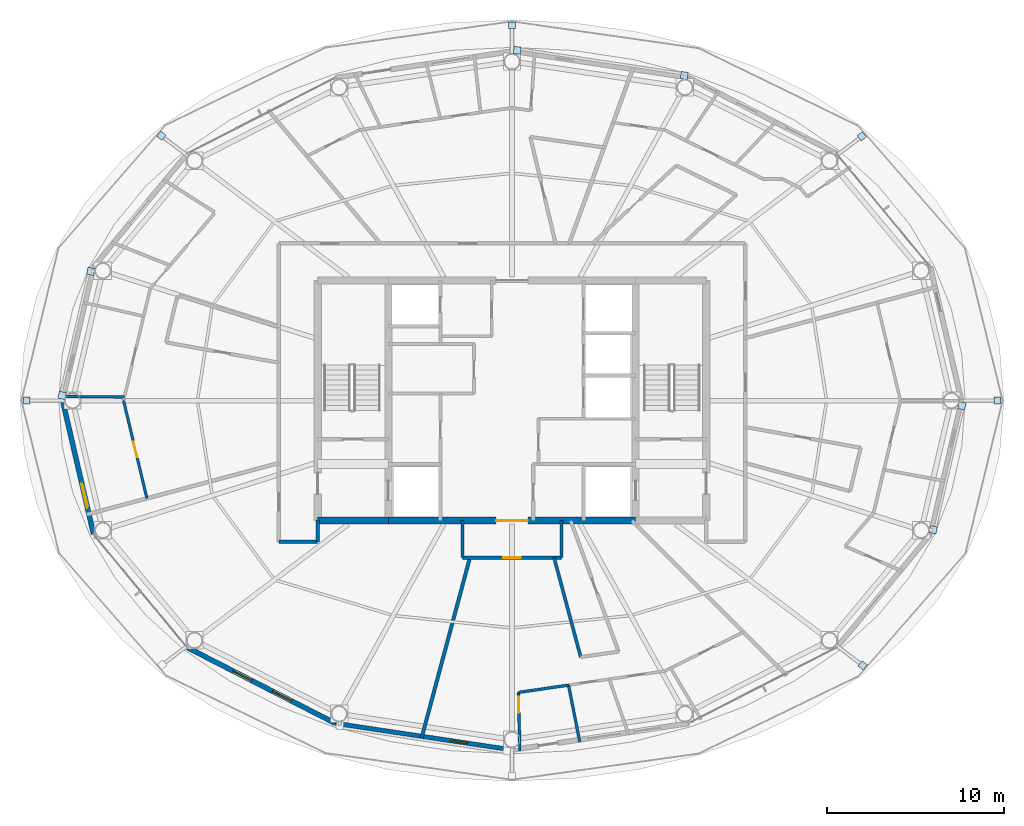
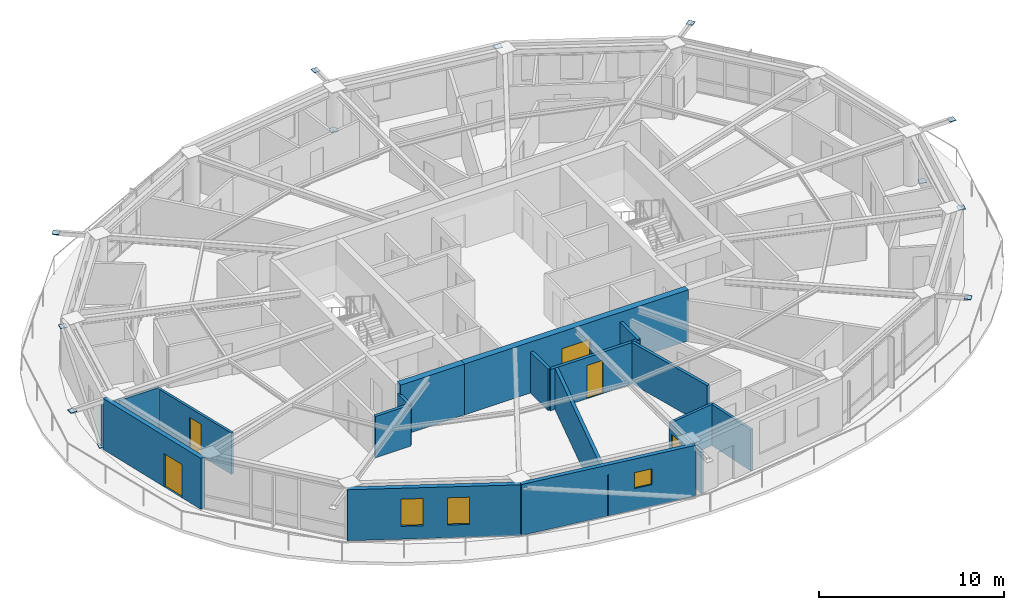
# One storey, part 15 of 23: 17 walls, 12 plates, 5 doors, 3 windows, 8 openings.
"""IFC4 building model written with IfcOpenShell, lengths in metres."""

from ifc_helpers import new_model, si_unit, direction, frame, frame_2d, origin, origin_2d, place, context, subcontext, project, spatial, rectangle, extrude, material, layer, layer_set, type_object, element, fill, save


model = new_model("IFC4")

# Units and contexts
model_context = context("Model", 3, precision=1e-05, world=origin(), true_north=direction((0.0, 1.0)))
body_context = subcontext(model_context, "Body", "Model", "MODEL_VIEW")
ifc_project = project(units=[si_unit("LENGTHUNIT", "METRE"), si_unit("AREAUNIT", "SQUARE_METRE"), si_unit("VOLUMEUNIT", "CUBIC_METRE"), si_unit("PLANEANGLEUNIT", "RADIAN"), si_unit("MASSUNIT", "GRAM", prefix="KILO")], contexts=[model_context])

# Site, building, storey
site_placement = place(None, origin())
site = spatial("IfcSite", under=ifc_project, at=site_placement, CompositionType="ELEMENT")
building_placement = place(site_placement, origin())
building = spatial("IfcBuilding", under=site, at=building_placement, Name="Sarneth Arch Tower", CompositionType="ELEMENT")
storey_placement = place(building_placement, frame((0.0, 0.0, 262.199951171875)))
storey = spatial("IfcBuildingStorey", under=building, at=storey_placement, Name="L67", CompositionType="ELEMENT", Elevation=262.199951171875)

# Plates
ifc_material_1 = material(Name="Steel S355", Category="steel")
ifc_layer_1 = layer(ifc_material_1, 0.035888671875)
ifc_layer_set_1 = layer_set([ifc_layer_1], Name="Steel S355")
plate_type = type_object("IfcPlateType", Name="PLT-GUSSET-30", PredefinedType="SHEET", material=ifc_layer_set_1)
for number, where, z_axis, x_axis, name in (
    (1, (75.481689453125, 42.0, 3.19189453125), (0.0, 0.0, 1.0), (1.0, 0.0, 0.0), "Steel end cap plate GP-1"),
    (2, (67.8076171875, 56.96044921875, 3.19189453125), (0.0, 0.0, 1.0), (0.798004853043, 0.602651022168, 0.0), "Steel end cap plate GP-1"),
):
    element("IfcPlate", number, at=place(storey_placement, frame(where, z_axis=z_axis, x_axis=x_axis)), inside=storey, type_object=plate_type, Name=name, PredefinedType="SHEET", context=body_context, shape_type="SweptSolid", body=[
        extrude(rectangle(XDim=0.3798828125, YDim=0.3798828125, at=origin_2d()), origin(), (0.0, 0.0, 1.0), 0.035888671875),
    ])
for number, where, z_axis, x_axis, name in (
    (3, (48.296630859375, 61.83544921875, 0.001953125), (0.0, 0.0, 1.0), (-0.988860535448, 0.148845024885, 0.0), "Steel end cap plate GP-1"),
    (4, (57.754150390625, 60.411376953125, 3.07421875), (0.0, 0.0, 1.0), (-0.988860535448, 0.148845024885, 0.0), "Steel end cap plate GP-1"),
):
    element("IfcPlate", number, at=place(storey_placement, frame(where, z_axis=z_axis, x_axis=x_axis)), inside=storey, type_object=plate_type, Name=name, PredefinedType="SHEET", context=body_context, shape_type="SweptSolid", body=[
        extrude(rectangle(XDim=0.404052734375, YDim=0.404052734375, at=origin_2d()), origin(), (0.0, 0.0, 1.0), 0.035888671875),
    ])
for number, where, z_axis, x_axis, name in (
    (5, (48.0, 63.25146484375, 3.19189453125), (0.0, 0.0, 1.0), (0.0, 1.0, 0.0), "Steel end cap plate GP-1"),
    (6, (28.146484375, 56.9951171875, 3.19189453125), (0.0, 0.0, 1.0), (-0.798004853043, 0.602651022168, 0.0), "Steel end cap plate GP-1"),
):
    element("IfcPlate", number, at=place(storey_placement, frame(where, z_axis=z_axis, x_axis=x_axis)), inside=storey, type_object=plate_type, Name=name, PredefinedType="SHEET", context=body_context, shape_type="SweptSolid", body=[
        extrude(rectangle(XDim=0.3798828125, YDim=0.3798828125, at=origin_2d()), origin(), (0.0, 0.0, 1.0), 0.035888671875),
    ])
for number, where, z_axis, x_axis, name in (
    (7, (22.5234375, 42.292236328125, 0.001953125), (0.0, 0.0, 1.0), (-0.225461202458, -0.974252147129, 0.0), "Steel end cap plate GP-1"),
    (8, (24.148193359375, 49.3154296875, 3.07421875), (0.0, 0.0, 1.0), (-0.225461202458, -0.974252147129, 0.0), "Steel end cap plate GP-1"),
):
    element("IfcPlate", number, at=place(storey_placement, frame(where, z_axis=z_axis, x_axis=x_axis)), inside=storey, type_object=plate_type, Name=name, PredefinedType="SHEET", context=body_context, shape_type="SweptSolid", body=[
        extrude(rectangle(XDim=0.404052734375, YDim=0.404052734375, at=origin_2d()), origin(), (0.0, 0.0, 1.0), 0.035888671875),
    ])
for number, where, z_axis, x_axis, name in (
    (9, (20.518310546875, 42.0, 3.19189453125), (0.0, 0.0, 1.0), (-1.0, 0.0, 0.0), "Steel end cap plate GP-1"),
    (10, (67.853515625, 27.0048828125, 3.19189453125), (0.0, 0.0, 1.0), (0.798004853043, -0.602651022168, 0.0), "Steel end cap plate GP-1"),
):
    element("IfcPlate", number, at=place(storey_placement, frame(where, z_axis=z_axis, x_axis=x_axis)), inside=storey, type_object=plate_type, Name=name, PredefinedType="SHEET", context=body_context, shape_type="SweptSolid", body=[
        extrude(rectangle(XDim=0.3798828125, YDim=0.3798828125, at=origin_2d()), origin(), (0.0, 0.0, 1.0), 0.035888671875),
    ])
for number, where, z_axis, x_axis, name in (
    (11, (73.4765625, 41.707763671875, 0.001953125), (0.0, 0.0, 1.0), (0.225461202458, 0.974252147129, 0.0), "Steel end cap plate GP-1"),
    (12, (71.851806640625, 34.6845703125, 3.07421875), (0.0, 0.0, 1.0), (0.225461202458, 0.974252147129, 0.0), "Steel end cap plate GP-1"),
):
    element("IfcPlate", number, at=place(storey_placement, frame(where, z_axis=z_axis, x_axis=x_axis)), inside=storey, type_object=plate_type, Name=name, PredefinedType="SHEET", context=body_context, shape_type="SweptSolid", body=[
        extrude(rectangle(XDim=0.404052734375, YDim=0.404052734375, at=origin_2d()), origin(), (0.0, 0.0, 1.0), 0.035888671875),
    ])

# Wall
ifc_material_2 = material(Name="Concrete C50/60", Category="concrete")
ifc_layer_2 = layer(ifc_material_2, 0.39990234375)
ifc_layer_set_2 = layer_set([ifc_layer_2], Name="Concrete C50/60")
wall_type_1 = type_object("IfcWallType", Name="WALL-CORE-400", PredefinedType="SHEAR", material=ifc_layer_set_2)
wall_1_placement = place(storey_placement, frame((37.0, 35.199951171875, 0.0), z_axis=(0.0, 0.0, 1.0), x_axis=(1.0, 0.0, 0.0)))
element("IfcWall", 13, at=wall_1_placement, inside=storey, type_object=wall_type_1, Name="L67 Core shear wall S-W", PredefinedType="SHEAR", context=body_context, shape_type="SweptSolid", body=[
    extrude(rectangle(XDim=4.0, YDim=0.39990234375, at=frame_2d((2.0, 0.0))), origin(), (0.0, 0.0, 1.0), 3.3701171875),
])

# Wall, opening, door
wall_2_placement = place(storey_placement, frame((41.0, 35.199951171875, 0.0), z_axis=(0.0, 0.0, 1.0), x_axis=(1.0, 0.0, 0.0)))
wall_2 = element("IfcWall", 14, at=wall_2_placement, inside=storey, type_object=wall_type_1, Name="L67 Core shear wall S-M", PredefinedType="SHEAR", context=body_context, shape_type="SweptSolid", body=[
    extrude(rectangle(XDim=14.0, YDim=0.39990234375, at=frame_2d((7.0, 0.0))), origin(), (0.0, 0.0, 1.0), 3.3701171875),
])
opening_1_placement = place(wall_2_placement, frame((6.10009765625, 0.0, 0.0)))
opening_1 = element("IfcOpeningElement", 15, at=opening_1_placement, cuts=wall_2, Name="Opening FD-01", PredefinedType="OPENING", context=body_context, shape_type="SweptSolid", body=[
    extrude(rectangle(XDim=1.800048828125, YDim=2.25, at=frame_2d((0.89990234375, 1.125))), frame((0.0, 0.2099609375, 0.0), z_axis=(0.0, -1.0, 0.0), x_axis=(1.0, 0.0, 0.0)), (0.0, 0.0, 1.0), 0.419921875),
])
ifc_material_3 = material(Name="Galvanised Steel S275 fire door set", Category="steel")
door_type_1 = type_object("IfcDoorType", Name="DR-FD90-1800", OperationType="DOUBLE_DOOR_SINGLE_SWING", PredefinedType="DOOR", material=ifc_material_3)
door_1_placement = place(opening_1_placement, origin())
door_1 = element("IfcDoor", 16, at=door_1_placement, inside=storey, type_object=door_type_1, Name="L67 Central lift lobby south door", OperationType="DOUBLE_DOOR_SINGLE_SWING", OverallHeight=2.25, OverallWidth=1.800048828125, PredefinedType="DOOR", context=body_context, shape_type="SweptSolid", body=[
    extrude(rectangle(XDim=1.800048828125, YDim=2.25, at=frame_2d((0.89990234375, 1.125))), frame((0.0, 0.02490234375, 0.0), z_axis=(0.0, -1.0, 0.0), x_axis=(1.0, 0.0, 0.0)), (0.0, 0.0, 1.0), 0.050048828125),
])
fill(opening_1, door_1)

ifc_material_4 = material(Name="Double steel-stud corridor fire wall", Category="steel")
ifc_layer_3 = layer(ifc_material_4, 0.18994140625)
ifc_layer_set_3 = layer_set([ifc_layer_3], Name="Double steel-stud corridor fire wall")
wall_type_2 = type_object("IfcWallType", Name="WALL-CORR-190", PredefinedType="PARTITIONING", material=ifc_layer_set_3)
wall_3_placement = place(storey_placement, frame((50.800048828125, 33.10009765625, 0.0), z_axis=(0.0, 0.0, 1.0), x_axis=(-1.0, 0.0, 0.0)))
wall_3 = element("IfcWall", 17, at=wall_3_placement, inside=storey, type_object=wall_type_2, Name="L67 Interior partition W-L67-TP-021", PredefinedType="PARTITIONING", context=body_context, shape_type="SweptSolid", body=[
    extrude(rectangle(XDim=5.60009765625, YDim=0.18994140625, at=frame_2d((2.800048828125, 0.0))), origin(), (0.0, 0.0, 1.0), 2.72998046875),
])
opening_2_placement = place(wall_3_placement, frame((2.300048828125, 0.0, 0.0)))
opening_2 = element("IfcOpeningElement", 18, at=opening_2_placement, cuts=wall_3, Name="Opening FD-08", PredefinedType="OPENING", context=body_context, shape_type="SweptSolid", body=[
    extrude(rectangle(XDim=1.0, YDim=2.199951171875, at=frame_2d((0.5, 1.10009765625))), frame((0.0, 0.10498046875, 0.0), z_axis=(0.0, -1.0, 0.0), x_axis=(1.0, 0.0, 0.0)), (0.0, 0.0, 1.0), 0.2099609375),
])
ifc_material_5 = material(Name="Hardwood timber acoustic fire door", Category="wood")
door_type_2 = type_object("IfcDoorType", Name="DR-FD60-1000", OperationType="SINGLE_SWING_LEFT", PredefinedType="DOOR", material=ifc_material_5)
door_2_placement = place(opening_2_placement, origin())
door_2 = element("IfcDoor", 19, at=door_2_placement, inside=storey, type_object=door_type_2, Name="L67 Interior door DR-L67-U5-ENT", OperationType="SINGLE_SWING_LEFT", OverallHeight=2.199951171875, OverallWidth=1.0, PredefinedType="DOOR", context=body_context, shape_type="SweptSolid", body=[
    extrude(rectangle(XDim=1.0, YDim=2.199951171875, at=frame_2d((0.5, 1.10009765625))), frame((0.0, 0.02490234375, 0.0), z_axis=(0.0, -1.0, 0.0), x_axis=(1.0, 0.0, 0.0)), (0.0, 0.0, 1.0), 0.050048828125),
])
fill(opening_2, door_2)

# Walls
wall_4_placement = place(storey_placement, frame((37.0, 34.0, 0.0), z_axis=(0.0, 0.0, 1.0), x_axis=(-1.0, 0.0, 0.0)))
element("IfcWall", 20, at=wall_4_placement, inside=storey, type_object=wall_type_2, Name="L67 Interior partition W-L67-TP-012", PredefinedType="PARTITIONING", context=body_context, shape_type="SweptSolid", body=[
    extrude(rectangle(XDim=2.199951171875, YDim=0.18994140625, at=frame_2d((1.10009765625, 0.0))), origin(), (0.0, 0.0, 1.0), 2.72998046875),
])
wall_5_placement = place(storey_placement, frame((45.199951171875, 35.199951171875, 0.0), z_axis=(0.0, 0.0, 1.0), x_axis=(0.0, -1.0, 0.0)))
element("IfcWall", 21, at=wall_5_placement, inside=storey, type_object=wall_type_2, Name="L67 Interior partition W-L67-TP-019", PredefinedType="PARTITIONING", context=body_context, shape_type="SweptSolid", body=[
    extrude(rectangle(XDim=2.099853515625, YDim=0.18994140625, at=frame_2d((1.0498046875, 0.0))), origin(), (0.0, 0.0, 1.0), 2.72998046875),
])
wall_6_placement = place(storey_placement, frame((37.0, 35.23193359375, 0.0), z_axis=(0.0, 0.0, 1.0), x_axis=(0.0, -1.0, 0.0)))
element("IfcWall", 22, at=wall_6_placement, inside=storey, type_object=wall_type_2, Name="L67 Interior partition W-L67-TP-011", PredefinedType="PARTITIONING", context=body_context, shape_type="SweptSolid", body=[
    extrude(rectangle(XDim=1.23193359375, YDim=0.18994140625, at=frame_2d((0.615966796875, 0.0))), origin(), (0.0, 0.0, 1.0), 2.72998046875),
])

# Wall, opening, window
ifc_material_6 = material(Name="Extruded terracotta rainscreen on Concrete C40/50 backing", Category="masonry")
ifc_layer_4 = layer(ifc_material_6, 0.25)
ifc_layer_set_4 = layer_set([ifc_layer_4], Name="Extruded terracotta rainscreen on Concrete C40/50 backing")
wall_type_3 = type_object("IfcWallType", Name="WALL-EXT-SPAND-250", PredefinedType="SOLIDWALL", material=ifc_layer_set_4)
wall_7_placement = place(storey_placement, frame((37.9873046875, 23.7255859375, 0.0), z_axis=(0.0, 0.0, 1.0), x_axis=(0.988882522213, -0.148698881169, 0.0)))
wall_7 = element("IfcWall", 23, at=wall_7_placement, inside=storey, type_object=wall_type_3, Name="L67 Terracotta perimeter wall 12", PredefinedType="SOLIDWALL", context=body_context, shape_type="SweptSolid", body=[
    extrude(rectangle(XDim=10.125244140625, YDim=0.25, at=frame_2d((5.0625, 0.0))), origin(), (0.0, 0.0, 1.0), 3.3701171875),
])
opening_3_placement = place(wall_7_placement, frame((6.58056640625, 0.0, 1.419921875)))
opening_3 = element("IfcOpeningElement", 24, at=opening_3_placement, cuts=wall_7, Name="Opening W-14", PredefinedType="OPENING", context=body_context, shape_type="SweptSolid", body=[
    extrude(rectangle(XDim=1.0, YDim=1.050048828125, at=frame_2d((0.5, 0.52490234375))), frame((0.0, 0.135009765625, 0.0), z_axis=(0.0, -1.0, 0.0), x_axis=(1.0, 0.0, 0.0)), (0.0, 0.0, 1.0), 0.27001953125),
])
ifc_material_7 = material(Name="Thermally broken Aluminium 6063-T6 and low-e laminated IGU", Category="aluminium")
window_type_1 = type_object("IfcWindowType", Name="WIN-TWR-1000x1050", PartitioningType="SINGLE_PANEL", PredefinedType="WINDOW", material=ifc_material_7)
window_1_placement = place(opening_3_placement, origin())
window_1 = element("IfcWindow", 25, at=window_1_placement, inside=storey, type_object=window_type_1, Name="L67 Dwelling bedroom window 04", OverallHeight=1.050048828125, OverallWidth=1.0, PartitioningType="SINGLE_PANEL", PredefinedType="WINDOW", context=body_context, shape_type="SweptSolid", body=[
    extrude(rectangle(XDim=1.0, YDim=1.050048828125, at=frame_2d((0.5, 0.52490234375))), frame((0.0, 0.030029296875, 0.0), z_axis=(0.0, -1.0, 0.0), x_axis=(1.0, 0.0, 0.0)), (0.0, 0.0, 1.0), 0.06005859375),
])
fill(opening_3, window_1)

# Wall, opening, door
ifc_material_8 = material(Name="Extruded terracotta rainscreen on Concrete C40/50 backing", Category="masonry")
ifc_layer_5 = layer(ifc_material_8, 0.280029296875)
ifc_layer_set_5 = layer_set([ifc_layer_5], Name="Extruded terracotta rainscreen on Concrete C40/50 backing")
wall_type_4 = type_object("IfcWallType", Name="WALL-EXT-TERRA-280", PredefinedType="SOLIDWALL", material=ifc_layer_set_5)
wall_8_placement = place(storey_placement, frame((22.552978515625, 42.0, 0.0), z_axis=(0.0, 0.0, 1.0), x_axis=(0.225635078214, -0.974211892495, 0.0)))
wall_8 = element("IfcWall", 26, at=wall_8_placement, inside=storey, type_object=wall_type_4, Name="L67 Terracotta perimeter wall 09", PredefinedType="SOLIDWALL", context=body_context, shape_type="SweptSolid", body=[
    extrude(rectangle(XDim=7.77001953125, YDim=0.280029296875, at=frame_2d((3.885009765625, 0.0))), origin(), (0.0, 0.0, 1.0), 3.3701171875),
])
opening_4_placement = place(wall_8_placement, frame((4.842041015625, 0.0, 0.0)))
opening_4 = element("IfcOpeningElement", 27, at=opening_4_placement, cuts=wall_8, Name="Opening BD-2", PredefinedType="OPENING", context=body_context, shape_type="SweptSolid", body=[
    extrude(rectangle(XDim=1.39990234375, YDim=2.199951171875, at=frame_2d((0.699951171875, 1.10009765625))), frame((0.0, 0.14990234375, 0.0), z_axis=(0.0, -1.0, 0.0), x_axis=(1.0, 0.0, 0.0)), (0.0, 0.0, 1.0), 0.300048828125),
])
ifc_material_9 = material(Name="Thermally broken Aluminium 6063-T6 and laminated safety glass", Category="aluminium")
door_type_3 = type_object("IfcDoorType", Name="DR-BALC-GLZ-1400", OperationType="SINGLE_SWING_LEFT", PredefinedType="DOOR", material=ifc_material_9)
door_3_placement = place(opening_4_placement, origin())
door_3 = element("IfcDoor", 28, at=door_3_placement, inside=storey, type_object=door_type_3, Name="L67 Balcony glazed door 09", OperationType="SINGLE_SWING_LEFT", OverallHeight=2.199951171875, OverallWidth=1.39990234375, PredefinedType="DOOR", context=body_context, shape_type="SweptSolid", body=[
    extrude(rectangle(XDim=1.39990234375, YDim=2.199951171875, at=frame_2d((0.699951171875, 1.10009765625))), frame((0.0, 0.02490234375, 0.0), z_axis=(0.0, -1.0, 0.0), x_axis=(1.0, 0.0, 0.0)), (0.0, 0.0, 1.0), 0.050048828125),
])
fill(opening_4, door_3)

# Wall, openings, windows
wall_9_placement = place(storey_placement, frame((29.617431640625, 28.013427734375, 0.0), z_axis=(0.0, 0.0, 1.0), x_axis=(0.890007394051, -0.455946091699, 0.0)))
wall_9 = element("IfcWall", 29, at=wall_9_placement, inside=storey, type_object=wall_type_4, Name="L67 Terracotta perimeter wall 11", PredefinedType="SOLIDWALL", context=body_context, shape_type="SweptSolid", body=[
    extrude(rectangle(XDim=9.404296875, YDim=0.280029296875, at=frame_2d((4.7021484375, 0.0))), origin(), (0.0, 0.0, 1.0), 3.3701171875),
])
opening_5_placement = place(wall_9_placement, frame((2.90283203125, 0.0, 0.85009765625)))
opening_5 = element("IfcOpeningElement", 30, at=opening_5_placement, cuts=wall_9, Name="Opening W-09", PredefinedType="OPENING", context=body_context, shape_type="SweptSolid", body=[
    extrude(rectangle(XDim=1.199951171875, YDim=1.800048828125, at=frame_2d((0.60009765625, 0.89990234375))), frame((0.0, 0.14990234375, 0.0), z_axis=(0.0, -1.0, 0.0), x_axis=(1.0, 0.0, 0.0)), (0.0, 0.0, 1.0), 0.300048828125),
])
opening_6_placement = place(wall_9_placement, frame((5.429931640625, 0.0, 0.85009765625)))
opening_6 = element("IfcOpeningElement", 31, at=opening_6_placement, cuts=wall_9, Name="Opening W-09", PredefinedType="OPENING", context=body_context, shape_type="SweptSolid", body=[
    extrude(rectangle(XDim=1.199951171875, YDim=1.800048828125, at=frame_2d((0.60009765625, 0.89990234375))), frame((0.0, 0.14990234375, 0.0), z_axis=(0.0, -1.0, 0.0), x_axis=(1.0, 0.0, 0.0)), (0.0, 0.0, 1.0), 0.300048828125),
])
ifc_material_10 = material(Name="Thermally broken Aluminium 6063-T6 and low-e laminated IGU", Category="aluminium")
window_type_2 = type_object("IfcWindowType", Name="WIN-TWR-1200x1800", PartitioningType="SINGLE_PANEL", PredefinedType="WINDOW", material=ifc_material_10)
window_2_placement = place(opening_5_placement, origin())
window_2 = element("IfcWindow", 32, at=window_2_placement, inside=storey, type_object=window_type_2, Name="L67 Exterior window 11A", OverallHeight=1.800048828125, OverallWidth=1.199951171875, PartitioningType="SINGLE_PANEL", PredefinedType="WINDOW", context=body_context, shape_type="SweptSolid", body=[
    extrude(rectangle(XDim=1.199951171875, YDim=1.800048828125, at=frame_2d((0.60009765625, 0.89990234375))), frame((0.0, 0.030029296875, 0.0), z_axis=(0.0, -1.0, 0.0), x_axis=(1.0, 0.0, 0.0)), (0.0, 0.0, 1.0), 0.06005859375),
])
fill(opening_5, window_2)
window_3_placement = place(opening_6_placement, origin())
window_3 = element("IfcWindow", 33, at=window_3_placement, inside=storey, type_object=window_type_2, Name="L67 Exterior window 11B", OverallHeight=1.800048828125, OverallWidth=1.199951171875, PartitioningType="SINGLE_PANEL", PredefinedType="WINDOW", context=body_context, shape_type="SweptSolid", body=[
    extrude(rectangle(XDim=1.199951171875, YDim=1.800048828125, at=frame_2d((0.60009765625, 0.89990234375))), frame((0.0, 0.030029296875, 0.0), z_axis=(0.0, -1.0, 0.0), x_axis=(1.0, 0.0, 0.0)), (0.0, 0.0, 1.0), 0.06005859375),
])
fill(opening_6, window_3)

# Wall, opening, door
ifc_material_11 = material(Name="Acoustic gypsum stud partition", Category="gypsum")
ifc_layer_6 = layer(ifc_material_11, 0.14990234375)
ifc_layer_set_6 = layer_set([ifc_layer_6], Name="Acoustic gypsum stud partition")
wall_type_5 = type_object("IfcWallType", Name="WALL-PART-150", PredefinedType="PARTITIONING", material=ifc_layer_set_6)
wall_10_placement = place(storey_placement, frame((26.003662109375, 42.0, 0.0), z_axis=(0.0, 0.0, 1.0), x_axis=(0.232304342064, -0.972643147644, 0.0)))
wall_10 = element("IfcWall", 34, at=wall_10_placement, inside=storey, type_object=wall_type_5, Name="L67 Interior partition W-L67-TP-066", PredefinedType="PARTITIONING", context=body_context, shape_type="SweptSolid", body=[
    extrude(rectangle(XDim=5.695068359375, YDim=0.14990234375, at=frame_2d((2.84765625, 0.0))), origin(), (0.0, 0.0, 1.0), 2.72998046875),
])
opening_7_placement = place(wall_10_placement, frame((2.397705078125, 0.0, 0.0)))
opening_7 = element("IfcOpeningElement", 35, at=opening_7_placement, cuts=wall_10, Name="Opening ID-01", PredefinedType="OPENING", context=body_context, shape_type="SweptSolid", body=[
    extrude(rectangle(XDim=0.89990234375, YDim=2.10009765625, at=frame_2d((0.449951171875, 1.050048828125))), frame((0.0, 0.0849609375, 0.0), z_axis=(0.0, -1.0, 0.0), x_axis=(1.0, 0.0, 0.0)), (0.0, 0.0, 1.0), 0.169921875),
])
ifc_material_12 = material(Name="Engineered hardwood flush door", Category="wood")
door_type_4 = type_object("IfcDoorType", Name="DR-INT-900", OperationType="SINGLE_SWING_LEFT", PredefinedType="DOOR", material=ifc_material_12)
door_4_placement = place(opening_7_placement, origin())
door_4 = element("IfcDoor", 36, at=door_4_placement, inside=storey, type_object=door_type_4, Name="L67 Interior door DR-L67-U3-BED2", OperationType="SINGLE_SWING_LEFT", OverallHeight=2.10009765625, OverallWidth=0.89990234375, PredefinedType="DOOR", context=body_context, shape_type="SweptSolid", body=[
    extrude(rectangle(XDim=0.89990234375, YDim=2.10009765625, at=frame_2d((0.449951171875, 1.050048828125))), frame((0.0, 0.02490234375, 0.0), z_axis=(0.0, -1.0, 0.0), x_axis=(1.0, 0.0, 0.0)), (0.0, 0.0, 1.0), 0.050048828125),
])
fill(opening_7, door_4)

# Wall
wall_11_placement = place(storey_placement, frame((22.487060546875, 42.234375, 0.0), z_axis=(0.0, 0.0, 1.0), x_axis=(0.999957889833, -0.009177067135, 0.0)))
element("IfcWall", 37, at=wall_11_placement, inside=storey, type_object=wall_type_5, Name="L67 Interior partition W-L67-TP-070", PredefinedType="PARTITIONING", context=body_context, shape_type="SweptSolid", body=[
    extrude(rectangle(XDim=3.56494140625, YDim=0.14990234375, at=frame_2d((1.782470703125, 0.0))), origin(), (0.0, 0.0, 1.0), 2.72998046875),
])

# Wall, opening, door
ifc_material_13 = material(Name="Kitchen wet service chase wall", Category="gypsum")
ifc_layer_7 = layer(ifc_material_13, 0.159912109375)
ifc_layer_set_7 = layer_set([ifc_layer_7], Name="Kitchen wet service chase wall")
wall_type_6 = type_object("IfcWallType", Name="WALL-PLUMB-160", PredefinedType="PLUMBINGWALL", material=ifc_layer_set_7)
wall_12_placement = place(storey_placement, frame((48.441650390625, 22.166015625, 0.0), z_axis=(0.0, 0.0, 1.0), x_axis=(-0.022285576985, 0.999751645689, 0.0)))
wall_12 = element("IfcWall", 38, at=wall_12_placement, inside=storey, type_object=wall_type_6, Name="L67 Interior partition W-L67-TP-073", PredefinedType="PLUMBINGWALL", context=body_context, shape_type="SweptSolid", body=[
    extrude(rectangle(XDim=3.308349609375, YDim=0.159912109375, at=frame_2d((1.654296875, 0.0))), origin(), (0.0, 0.0, 1.0), 2.72998046875),
])
opening_8_placement = place(wall_12_placement, frame((2.164306640625, 0.0, 0.0)))
opening_8 = element("IfcOpeningElement", 39, at=opening_8_placement, cuts=wall_12, Name="Opening ID-01", PredefinedType="OPENING", context=body_context, shape_type="SweptSolid", body=[
    extrude(rectangle(XDim=0.89990234375, YDim=2.10009765625, at=frame_2d((0.449951171875, 1.050048828125))), frame((0.0, 0.08984375, 0.0), z_axis=(0.0, -1.0, 0.0), x_axis=(1.0, 0.0, 0.0)), (0.0, 0.0, 1.0), 0.179931640625),
])
door_5_placement = place(opening_8_placement, origin())
door_5 = element("IfcDoor", 40, at=door_5_placement, inside=storey, type_object=door_type_4, Name="L67 Interior door DR-L67-U5-KIT", OperationType="SINGLE_SWING_LEFT", OverallHeight=2.10009765625, OverallWidth=0.89990234375, PredefinedType="DOOR", context=body_context, shape_type="SweptSolid", body=[
    extrude(rectangle(XDim=0.89990234375, YDim=2.10009765625, at=frame_2d((0.449951171875, 1.050048828125))), frame((0.0, 0.02490234375, 0.0), z_axis=(0.0, -1.0, 0.0), x_axis=(1.0, 0.0, 0.0)), (0.0, 0.0, 1.0), 0.050048828125),
])
fill(opening_8, door_5)

# Walls
wall_13_placement = place(storey_placement, frame((51.20068359375, 25.88671875, 0.0), z_axis=(0.0, 0.0, 1.0), x_axis=(0.194810759156, -0.980840847496, 0.0)))
element("IfcWall", 41, at=wall_13_placement, inside=storey, type_object=wall_type_6, Name="L67 Interior partition W-L67-TP-083", PredefinedType="PLUMBINGWALL", context=body_context, shape_type="SweptSolid", body=[
    extrude(rectangle(XDim=3.2734375, YDim=0.159912109375, at=frame_2d((1.63671875, 0.0))), origin(), (0.0, 0.0, 1.0), 2.72998046875),
])
wall_14_placement = place(storey_placement, frame((48.367919921875, 25.4736328125, 0.0), z_axis=(0.0, 0.0, 1.0), x_axis=(0.989534249572, 0.144298194456, 0.0)))
element("IfcWall", 42, at=wall_14_placement, inside=storey, type_object=wall_type_6, Name="L67 Interior partition W-L67-TP-074", PredefinedType="PLUMBINGWALL", context=body_context, shape_type="SweptSolid", body=[
    extrude(rectangle(XDim=2.86279296875, YDim=0.159912109375, at=frame_2d((1.431396484375, 0.0))), origin(), (0.0, 0.0, 1.0), 2.72998046875),
])
ifc_material_14 = material(Name="Moisture-resistant plumbing chase wall", Category="gypsum")
ifc_layer_8 = layer(ifc_material_14, 0.179931640625)
ifc_layer_set_8 = layer_set([ifc_layer_8], Name="Moisture-resistant plumbing chase wall")
wall_type_7 = type_object("IfcWallType", Name="WALL-PLUMB-180", PredefinedType="PLUMBINGWALL", material=ifc_layer_set_8)
wall_15_placement = place(storey_placement, frame((51.8916015625, 27.476806640625, 0.0), z_axis=(0.0, 0.0, 1.0), x_axis=(-0.258831810373, 0.965922405755, 0.0)))
element("IfcWall", 43, at=wall_15_placement, inside=storey, type_object=wall_type_7, Name="L67 Interior partition W-L67-TP-077", PredefinedType="PLUMBINGWALL", context=body_context, shape_type="SweptSolid", body=[
    extrude(rectangle(XDim=5.82177734375, YDim=0.179931640625, at=frame_2d((2.910888671875, 0.0))), origin(), (0.0, 0.0, 1.0), 2.72998046875),
])
wall_16_placement = place(storey_placement, frame((50.800048828125, 35.199951171875, 0.0), z_axis=(0.0, 0.0, 1.0), x_axis=(0.0, -1.0, 0.0)))
element("IfcWall", 44, at=wall_16_placement, inside=storey, type_object=wall_type_7, Name="L67 Interior partition W-L67-TP-022", PredefinedType="PLUMBINGWALL", context=body_context, shape_type="SweptSolid", body=[
    extrude(rectangle(XDim=2.099853515625, YDim=0.179931640625, at=frame_2d((1.0498046875, 0.0))), origin(), (0.0, 0.0, 1.0), 2.72998046875),
])
ifc_material_15 = material(Name="Double steel-stud acoustic drywall", Category="steel")
ifc_layer_9 = layer(ifc_material_15, 0.199951171875)
ifc_layer_set_9 = layer_set([ifc_layer_9], Name="Double steel-stud acoustic drywall")
wall_type_8 = type_object("IfcWallType", Name="WALL-UNIT-200", PredefinedType="PARTITIONING", material=ifc_layer_set_9)
wall_17_placement = place(storey_placement, frame((42.8740234375, 22.8701171875, 0.0), z_axis=(0.0, 0.0, 1.0), x_axis=(0.258827496332, 0.965923561749, 0.0)))
element("IfcWall", 45, at=wall_17_placement, inside=storey, type_object=wall_type_8, Name="L67 Interior partition W-L67-TP-072", PredefinedType="PARTITIONING", context=body_context, shape_type="SweptSolid", body=[
    extrude(rectangle(XDim=10.5908203125, YDim=0.199951171875, at=frame_2d((5.29541015625, 0.0))), origin(), (0.0, 0.0, 1.0), 2.72998046875),
])

save(model, "model.ifc")
